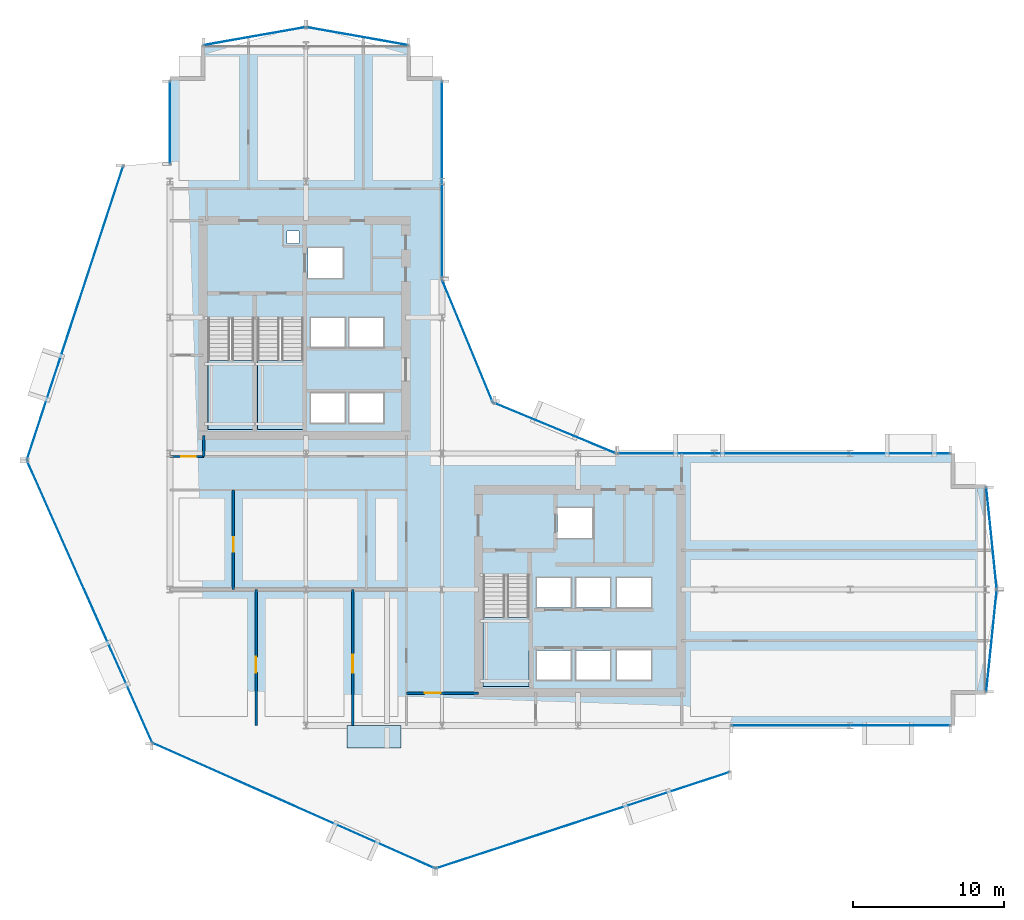
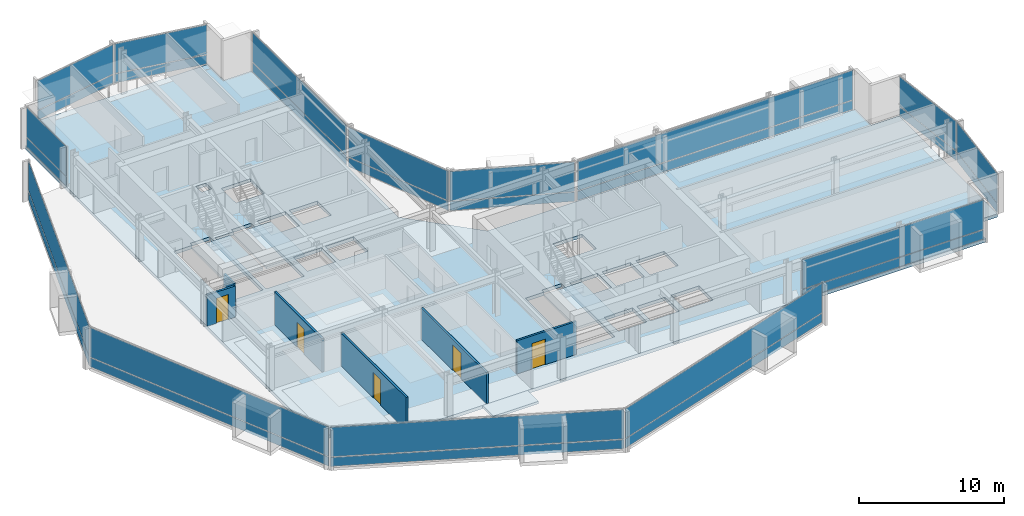
# One storey, part 26 of 34: 28 plates, 6 walls, 5 doors, 5 slabs, 5 openings, 17 elements without a shape of their own.
"""IFC4 building model written with IfcOpenShell, lengths in metres."""

from ifc_helpers import new_model, si_unit, direction, frame, frame_2d, origin, origin_2d, place, context, subcontext, project, spatial, polyline, rectangle, outline, extrude, material, layer, layer_set, type_object, element, fill, aggregate, save


model = new_model("IFC4")

# Units and contexts
model_context = context("Model", 3, precision=1e-05, world=origin(), true_north=direction((0.0, 1.0)))
body_context = subcontext(model_context, "Body", "Model", "MODEL_VIEW")
ifc_project = project(units=[si_unit("LENGTHUNIT", "METRE"), si_unit("AREAUNIT", "SQUARE_METRE"), si_unit("VOLUMEUNIT", "CUBIC_METRE"), si_unit("PLANEANGLEUNIT", "RADIAN"), si_unit("MASSUNIT", "GRAM", prefix="KILO")], contexts=[model_context])

# Site, building, storey
site_placement = place(None, origin())
site = spatial("IfcSite", under=ifc_project, at=site_placement, CompositionType="ELEMENT")
building_placement = place(site_placement, origin())
building = spatial("IfcBuilding", under=site, at=building_placement, Name="Solvaryn Broadcast Tower", CompositionType="ELEMENT")
storey_placement = place(building_placement, frame((0.0, 0.0, 76.699951171875)))
storey = spatial("IfcBuildingStorey", under=building, at=storey_placement, Name="L18", CompositionType="ELEMENT", Elevation=76.699951171875)

# Curtain wall, plates
ifc_material_1 = material(Name="Aluminium and Terracotta Unitised Curtain Wall", Category="masonry")
ifc_layer_1 = layer(ifc_material_1, 0.199951171875)
ifc_layer_set_1 = layer_set([ifc_layer_1], Name="CW-SYS2-LOWMID")
curtain_wall_type = type_object("IfcCurtainWallType", Name="CW-SYS2-LOWMID", PredefinedType="NOTDEFINED", material=ifc_layer_set_1)
curtain_wall_1_placement = place(storey_placement, origin())
curtain_wall_1 = element("IfcCurtainWall", 1, at=curtain_wall_1_placement, inside=storey, type_object=curtain_wall_type, Name="L18 Curtain Wall DR1", PredefinedType="NOTDEFINED")
ifc_material_2 = material(Name="Kiln-Fired Architectural Terracotta Spandrel", Category="masonry")
ifc_layer_2 = layer(ifc_material_2, 0.048095703125)
ifc_layer_set_2 = layer_set([ifc_layer_2], Name="CW-PNL-TERRACOTTA")
plate_type = type_object("IfcPlateType", Name="CW-PNL-TERRACOTTA", PredefinedType="CURTAIN_PANEL", material=ifc_layer_set_2)
plate_1_placement = place(storey_placement, frame((2.72607421875, 36.2880859375, 0.06005859375), z_axis=(0.0, 0.0, 1.0), x_axis=(-0.311594044587, -0.950215318429, 0.0)))
plate_1 = element("IfcPlate", 2, at=plate_1_placement, type_object=plate_type, Name="CWS2 panel 1.1", PredefinedType="CURTAIN_PANEL", context=body_context, shape_type="SweptSolid", body=[
    extrude(rectangle(XDim=20.35546875, YDim=0.028076171875, at=origin_2d()), origin(), (0.0, 0.0, 1.0), 0.760009765625),
])
plate_2_placement = place(storey_placement, frame((2.72607421875, 36.2880859375, 0.880126953125), z_axis=(0.0, 0.0, 1.0), x_axis=(-0.311594044587, -0.950215318429, 0.0)))
plate_2 = element("IfcPlate", 3, at=plate_2_placement, type_object=plate_type, Name="CWS2 panel 1.2", PredefinedType="CURTAIN_PANEL", context=body_context, shape_type="SweptSolid", body=[
    extrude(rectangle(XDim=20.35546875, YDim=0.028076171875, at=origin_2d()), origin(), (0.0, 0.0, 1.0), 2.47998046875),
])
aggregate(curtain_wall_1, [plate_1, plate_2])

curtain_wall_2_placement = place(storey_placement, origin())
curtain_wall_2 = element("IfcCurtainWall", 4, at=curtain_wall_2_placement, inside=storey, type_object=curtain_wall_type, Name="L18 Curtain Wall DR2", PredefinedType="NOTDEFINED")
plate_3_placement = place(storey_placement, frame((3.69140625, 17.20361328125, 0.06005859375), z_axis=(0.0, 0.0, 1.0), x_axis=(0.405898286554, -0.913918257271, 0.0)))
plate_3 = element("IfcPlate", 5, at=plate_3_placement, type_object=plate_type, Name="CWS2 panel 1.1", PredefinedType="CURTAIN_PANEL", context=body_context, shape_type="SweptSolid", body=[
    extrude(rectangle(XDim=20.35546875, YDim=0.028076171875, at=origin_2d()), origin(), (0.0, 0.0, 1.0), 0.760009765625),
])
plate_4_placement = place(storey_placement, frame((3.69140625, 17.20361328125, 0.880126953125), z_axis=(0.0, 0.0, 1.0), x_axis=(0.405898286554, -0.913918257271, 0.0)))
plate_4 = element("IfcPlate", 6, at=plate_4_placement, type_object=plate_type, Name="CWS2 panel 1.2", PredefinedType="CURTAIN_PANEL", context=body_context, shape_type="SweptSolid", body=[
    extrude(rectangle(XDim=20.35546875, YDim=0.028076171875, at=origin_2d()), origin(), (0.0, 0.0, 1.0), 2.47998046875),
])
aggregate(curtain_wall_2, [plate_3, plate_4])

curtain_wall_3_placement = place(storey_placement, origin())
curtain_wall_3 = element("IfcCurtainWall", 7, at=curtain_wall_3_placement, inside=storey, type_object=curtain_wall_type, Name="L18 Curtain Wall DR3", PredefinedType="NOTDEFINED")
plate_5_placement = place(storey_placement, frame((17.20361328125, 3.69140625, 0.06005859375), z_axis=(0.0, 0.0, 1.0), x_axis=(0.913918257271, -0.405898286554, 0.0)))
plate_5 = element("IfcPlate", 8, at=plate_5_placement, type_object=plate_type, Name="CWS2 panel 1.1", PredefinedType="CURTAIN_PANEL", context=body_context, shape_type="SweptSolid", body=[
    extrude(rectangle(XDim=20.35546875, YDim=0.028076171875, at=origin_2d()), origin(), (0.0, 0.0, 1.0), 0.760009765625),
])
plate_6_placement = place(storey_placement, frame((17.20361328125, 3.69140625, 0.880126953125), z_axis=(0.0, 0.0, 1.0), x_axis=(0.913918257271, -0.405898286554, 0.0)))
plate_6 = element("IfcPlate", 9, at=plate_6_placement, type_object=plate_type, Name="CWS2 panel 1.2", PredefinedType="CURTAIN_PANEL", context=body_context, shape_type="SweptSolid", body=[
    extrude(rectangle(XDim=20.35546875, YDim=0.028076171875, at=origin_2d()), origin(), (0.0, 0.0, 1.0), 2.47998046875),
])
aggregate(curtain_wall_3, [plate_5, plate_6])

curtain_wall_4_placement = place(storey_placement, origin())
curtain_wall_4 = element("IfcCurtainWall", 10, at=curtain_wall_4_placement, inside=storey, type_object=curtain_wall_type, Name="L18 Curtain Wall DR4", PredefinedType="NOTDEFINED")
plate_7_placement = place(storey_placement, frame((36.2880859375, 2.72607421875, 0.06005859375), z_axis=(0.0, 0.0, 1.0), x_axis=(0.950215318429, 0.311594044587, 0.0)))
plate_7 = element("IfcPlate", 11, at=plate_7_placement, type_object=plate_type, Name="CWS2 panel 1.1", PredefinedType="CURTAIN_PANEL", context=body_context, shape_type="SweptSolid", body=[
    extrude(rectangle(XDim=20.35546875, YDim=0.028076171875, at=origin_2d()), origin(), (0.0, 0.0, 1.0), 0.760009765625),
])
plate_8_placement = place(storey_placement, frame((36.2880859375, 2.72607421875, 0.880126953125), z_axis=(0.0, 0.0, 1.0), x_axis=(0.950215318429, 0.311594044587, 0.0)))
plate_8 = element("IfcPlate", 12, at=plate_8_placement, type_object=plate_type, Name="CWS2 panel 1.2", PredefinedType="CURTAIN_PANEL", context=body_context, shape_type="SweptSolid", body=[
    extrude(rectangle(XDim=20.35546875, YDim=0.028076171875, at=origin_2d()), origin(), (0.0, 0.0, 1.0), 2.47998046875),
])
aggregate(curtain_wall_4, [plate_7, plate_8])

curtain_wall_5_placement = place(storey_placement, origin())
curtain_wall_5 = element("IfcCurtainWall", 13, at=curtain_wall_5_placement, inside=storey, type_object=curtain_wall_type, Name="L18 Curtain Wall W2", PredefinedType="NOTDEFINED")
plate_9_placement = place(storey_placement, frame((9.0, 48.883056640625, 0.06005859375), z_axis=(0.0, 0.0, 1.0), x_axis=(0.0, 1.0, 0.0)))
plate_9 = element("IfcPlate", 14, at=plate_9_placement, type_object=plate_type, Name="CWS2 panel 1.1", PredefinedType="CURTAIN_PANEL", context=body_context, shape_type="SweptSolid", body=[
    extrude(rectangle(XDim=5.4140625, YDim=0.028076171875, at=origin_2d()), origin(), (0.0, 0.0, 1.0), 0.760009765625),
])
plate_10_placement = place(storey_placement, frame((9.0, 48.883056640625, 0.880126953125), z_axis=(0.0, 0.0, 1.0), x_axis=(0.0, 1.0, 0.0)))
plate_10 = element("IfcPlate", 15, at=plate_10_placement, type_object=plate_type, Name="CWS2 panel 1.2", PredefinedType="CURTAIN_PANEL", context=body_context, shape_type="SweptSolid", body=[
    extrude(rectangle(XDim=5.4140625, YDim=0.028076171875, at=origin_2d()), origin(), (0.0, 0.0, 1.0), 2.47998046875),
])
aggregate(curtain_wall_5, [plate_9, plate_10])

curtain_wall_6_placement = place(storey_placement, origin())
curtain_wall_6 = element("IfcCurtainWall", 16, at=curtain_wall_6_placement, inside=storey, type_object=curtain_wall_type, Name="L18 Curtain Wall IV", PredefinedType="NOTDEFINED")
plate_11_placement = place(storey_placement, frame((27.0, 45.125, 0.06005859375), z_axis=(0.0, 0.0, 1.0), x_axis=(0.0, -1.0, 0.0)))
plate_11 = element("IfcPlate", 17, at=plate_11_placement, type_object=plate_type, Name="CWS2 panel 1.1", PredefinedType="CURTAIN_PANEL", context=body_context, shape_type="SweptSolid", body=[
    extrude(rectangle(XDim=12.929931640625, YDim=0.028076171875, at=origin_2d()), origin(), (0.0, 0.0, 1.0), 0.760009765625),
])
plate_12_placement = place(storey_placement, frame((27.0, 45.125, 0.880126953125), z_axis=(0.0, 0.0, 1.0), x_axis=(0.0, -1.0, 0.0)))
plate_12 = element("IfcPlate", 18, at=plate_12_placement, type_object=plate_type, Name="CWS2 panel 1.2", PredefinedType="CURTAIN_PANEL", context=body_context, shape_type="SweptSolid", body=[
    extrude(rectangle(XDim=12.929931640625, YDim=0.028076171875, at=origin_2d()), origin(), (0.0, 0.0, 1.0), 2.47998046875),
])
aggregate(curtain_wall_6, [plate_11, plate_12])

curtain_wall_7_placement = place(storey_placement, origin())
curtain_wall_7 = element("IfcCurtainWall", 19, at=curtain_wall_7_placement, inside=storey, type_object=curtain_wall_type, Name="L18 Curtain Wall CN1", PredefinedType="NOTDEFINED")
plate_13_placement = place(storey_placement, frame((34.43408203125, 28.68408203125, 0.06005859375), z_axis=(0.0, 0.0, 1.0), x_axis=(-0.923894983957, 0.382646127145, 0.0)))
plate_13 = element("IfcPlate", 20, at=plate_13_placement, type_object=plate_type, Name="CWS2 panel 1.1", PredefinedType="CURTAIN_PANEL", context=body_context, shape_type="SweptSolid", body=[
    extrude(rectangle(XDim=8.681884765625, YDim=0.028076171875, at=origin_2d()), origin(), (0.0, 0.0, 1.0), 0.760009765625),
])
plate_14_placement = place(storey_placement, frame((34.43408203125, 28.68408203125, 0.880126953125), z_axis=(0.0, 0.0, 1.0), x_axis=(-0.923894983957, 0.382646127145, 0.0)))
plate_14 = element("IfcPlate", 21, at=plate_14_placement, type_object=plate_type, Name="CWS2 panel 1.2", PredefinedType="CURTAIN_PANEL", context=body_context, shape_type="SweptSolid", body=[
    extrude(rectangle(XDim=8.681884765625, YDim=0.028076171875, at=origin_2d()), origin(), (0.0, 0.0, 1.0), 2.47998046875),
])
aggregate(curtain_wall_7, [plate_13, plate_14])

curtain_wall_8_placement = place(storey_placement, origin())
curtain_wall_8 = element("IfcCurtainWall", 22, at=curtain_wall_8_placement, inside=storey, type_object=curtain_wall_type, Name="L18 Curtain Wall CN2", PredefinedType="NOTDEFINED")
plate_15_placement = place(storey_placement, frame((28.68408203125, 34.43408203125, 0.06005859375), z_axis=(0.0, 0.0, 1.0), x_axis=(-0.382646127145, 0.923894983957, 0.0)))
plate_15 = element("IfcPlate", 23, at=plate_15_placement, type_object=plate_type, Name="CWS2 panel 1.1", PredefinedType="CURTAIN_PANEL", context=body_context, shape_type="SweptSolid", body=[
    extrude(rectangle(XDim=8.681884765625, YDim=0.028076171875, at=origin_2d()), origin(), (0.0, 0.0, 1.0), 0.760009765625),
])
plate_16_placement = place(storey_placement, frame((28.68408203125, 34.43408203125, 0.880126953125), z_axis=(0.0, 0.0, 1.0), x_axis=(-0.382646127145, 0.923894983957, 0.0)))
plate_16 = element("IfcPlate", 24, at=plate_16_placement, type_object=plate_type, Name="CWS2 panel 1.2", PredefinedType="CURTAIN_PANEL", context=body_context, shape_type="SweptSolid", body=[
    extrude(rectangle(XDim=8.681884765625, YDim=0.028076171875, at=origin_2d()), origin(), (0.0, 0.0, 1.0), 2.47998046875),
])
aggregate(curtain_wall_8, [plate_15, plate_16])

curtain_wall_9_placement = place(storey_placement, origin())
curtain_wall_9 = element("IfcCurtainWall", 25, at=curtain_wall_9_placement, inside=storey, type_object=curtain_wall_type, Name="L18 Curtain Wall S2", PredefinedType="NOTDEFINED")
plate_17_placement = place(storey_placement, frame((53.383056640625, 9.0, 0.06005859375), z_axis=(0.0, 0.0, 1.0), x_axis=(1.0, 0.0, 0.0)))
plate_17 = element("IfcPlate", 26, at=plate_17_placement, type_object=plate_type, Name="CWS2 panel 1.1", PredefinedType="CURTAIN_PANEL", context=body_context, shape_type="SweptSolid", body=[
    extrude(rectangle(XDim=14.4140625, YDim=0.028076171875, at=origin_2d()), origin(), (0.0, 0.0, 1.0), 0.760009765625),
])
plate_18_placement = place(storey_placement, frame((53.383056640625, 9.0, 0.880126953125), z_axis=(0.0, 0.0, 1.0), x_axis=(1.0, 0.0, 0.0)))
plate_18 = element("IfcPlate", 27, at=plate_18_placement, type_object=plate_type, Name="CWS2 panel 1.2", PredefinedType="CURTAIN_PANEL", context=body_context, shape_type="SweptSolid", body=[
    extrude(rectangle(XDim=14.4140625, YDim=0.028076171875, at=origin_2d()), origin(), (0.0, 0.0, 1.0), 2.47998046875),
])
aggregate(curtain_wall_9, [plate_17, plate_18])

curtain_wall_10_placement = place(storey_placement, origin())
curtain_wall_10 = element("IfcCurtainWall", 28, at=curtain_wall_10_placement, inside=storey, type_object=curtain_wall_type, Name="L18 Curtain Wall NT1", PredefinedType="NOTDEFINED")
plate_19_placement = place(storey_placement, frame((21.39990234375, 54.60009765625, 0.06005859375), z_axis=(0.0, 0.0, 1.0), x_axis=(-0.984783558819, 0.173785333901, 0.0)))
plate_19 = element("IfcPlate", 29, at=plate_19_placement, type_object=plate_type, Name="CWS2 panel 1.1", PredefinedType="CURTAIN_PANEL", context=body_context, shape_type="SweptSolid", body=[
    extrude(rectangle(XDim=6.78515625, YDim=0.028076171875, at=origin_2d()), origin(), (0.0, 0.0, 1.0), 0.760009765625),
])
plate_20_placement = place(storey_placement, frame((21.39990234375, 54.60009765625, 0.880126953125), z_axis=(0.0, 0.0, 1.0), x_axis=(-0.984783558819, 0.173785333901, 0.0)))
plate_20 = element("IfcPlate", 30, at=plate_20_placement, type_object=plate_type, Name="CWS2 panel 1.2", PredefinedType="CURTAIN_PANEL", context=body_context, shape_type="SweptSolid", body=[
    extrude(rectangle(XDim=6.78515625, YDim=0.028076171875, at=origin_2d()), origin(), (0.0, 0.0, 1.0), 2.47998046875),
])
aggregate(curtain_wall_10, [plate_19, plate_20])

curtain_wall_11_placement = place(storey_placement, origin())
curtain_wall_11 = element("IfcCurtainWall", 31, at=curtain_wall_11_placement, inside=storey, type_object=curtain_wall_type, Name="L18 Curtain Wall NT2", PredefinedType="NOTDEFINED")
plate_21_placement = place(storey_placement, frame((14.60009765625, 54.60009765625, 0.06005859375), z_axis=(0.0, 0.0, 1.0), x_axis=(-0.984783558819, -0.173785333901, 0.0)))
plate_21 = element("IfcPlate", 32, at=plate_21_placement, type_object=plate_type, Name="CWS2 panel 1.1", PredefinedType="CURTAIN_PANEL", context=body_context, shape_type="SweptSolid", body=[
    extrude(rectangle(XDim=6.78515625, YDim=0.028076171875, at=origin_2d()), origin(), (0.0, 0.0, 1.0), 0.760009765625),
])
plate_22_placement = place(storey_placement, frame((14.60009765625, 54.60009765625, 0.880126953125), z_axis=(0.0, 0.0, 1.0), x_axis=(-0.984783558819, -0.173785333901, 0.0)))
plate_22 = element("IfcPlate", 33, at=plate_22_placement, type_object=plate_type, Name="CWS2 panel 1.2", PredefinedType="CURTAIN_PANEL", context=body_context, shape_type="SweptSolid", body=[
    extrude(rectangle(XDim=6.78515625, YDim=0.028076171875, at=origin_2d()), origin(), (0.0, 0.0, 1.0), 2.47998046875),
])
aggregate(curtain_wall_11, [plate_21, plate_22])

curtain_wall_12_placement = place(storey_placement, origin())
curtain_wall_12 = element("IfcCurtainWall", 34, at=curtain_wall_12_placement, inside=storey, type_object=curtain_wall_type, Name="L18 Curtain Wall ET1", PredefinedType="NOTDEFINED")
plate_23_placement = place(storey_placement, frame((63.35009765625, 21.39990234375, 0.06005859375), z_axis=(0.0, 0.0, 1.0), x_axis=(0.10240004548, -0.99474329889, 0.0)))
plate_23 = element("IfcPlate", 35, at=plate_23_placement, type_object=plate_type, Name="CWS2 panel 1.1", PredefinedType="CURTAIN_PANEL", context=body_context, shape_type="SweptSolid", body=[
    extrude(rectangle(XDim=6.7158203125, YDim=0.028076171875, at=origin_2d()), origin(), (0.0, 0.0, 1.0), 0.760009765625),
])
plate_24_placement = place(storey_placement, frame((63.35009765625, 21.39990234375, 0.880126953125), z_axis=(0.0, 0.0, 1.0), x_axis=(0.10240004548, -0.99474329889, 0.0)))
plate_24 = element("IfcPlate", 36, at=plate_24_placement, type_object=plate_type, Name="CWS2 panel 1.2", PredefinedType="CURTAIN_PANEL", context=body_context, shape_type="SweptSolid", body=[
    extrude(rectangle(XDim=6.7158203125, YDim=0.028076171875, at=origin_2d()), origin(), (0.0, 0.0, 1.0), 2.47998046875),
])
aggregate(curtain_wall_12, [plate_23, plate_24])

curtain_wall_13_placement = place(storey_placement, origin())
curtain_wall_13 = element("IfcCurtainWall", 37, at=curtain_wall_13_placement, inside=storey, type_object=curtain_wall_type, Name="L18 Curtain Wall ET2", PredefinedType="NOTDEFINED")
plate_25_placement = place(storey_placement, frame((63.35009765625, 14.60009765625, 0.06005859375), z_axis=(0.0, 0.0, 1.0), x_axis=(-0.10240004548, -0.99474329889, 0.0)))
plate_25 = element("IfcPlate", 38, at=plate_25_placement, type_object=plate_type, Name="CWS2 panel 1.1", PredefinedType="CURTAIN_PANEL", context=body_context, shape_type="SweptSolid", body=[
    extrude(rectangle(XDim=6.7158203125, YDim=0.028076171875, at=origin_2d()), origin(), (0.0, 0.0, 1.0), 0.760009765625),
])
plate_26_placement = place(storey_placement, frame((63.35009765625, 14.60009765625, 0.880126953125), z_axis=(0.0, 0.0, 1.0), x_axis=(-0.10240004548, -0.99474329889, 0.0)))
plate_26 = element("IfcPlate", 39, at=plate_26_placement, type_object=plate_type, Name="CWS2 panel 1.2", PredefinedType="CURTAIN_PANEL", context=body_context, shape_type="SweptSolid", body=[
    extrude(rectangle(XDim=6.7158203125, YDim=0.028076171875, at=origin_2d()), origin(), (0.0, 0.0, 1.0), 2.47998046875),
])
aggregate(curtain_wall_13, [plate_25, plate_26])

curtain_wall_14_placement = place(storey_placement, origin())
curtain_wall_14 = element("IfcCurtainWall", 40, at=curtain_wall_14_placement, inside=storey, type_object=curtain_wall_type, Name="L18 Curtain Wall IH", PredefinedType="NOTDEFINED")
plate_27_placement = place(storey_placement, frame((49.625, 27.0, 0.06005859375), z_axis=(0.0, 0.0, 1.0), x_axis=(1.0, 0.0, 0.0)))
plate_27 = element("IfcPlate", 41, at=plate_27_placement, type_object=plate_type, Name="CWS2 panel 1.1", PredefinedType="CURTAIN_PANEL", context=body_context, shape_type="SweptSolid", body=[
    extrude(rectangle(XDim=21.929931640625, YDim=0.028076171875, at=origin_2d()), origin(), (0.0, 0.0, 1.0), 0.760009765625),
])
plate_28_placement = place(storey_placement, frame((49.625, 27.0, 0.880126953125), z_axis=(0.0, 0.0, 1.0), x_axis=(1.0, 0.0, 0.0)))
plate_28 = element("IfcPlate", 42, at=plate_28_placement, type_object=plate_type, Name="CWS2 panel 1.2", PredefinedType="CURTAIN_PANEL", context=body_context, shape_type="SweptSolid", body=[
    extrude(rectangle(XDim=21.929931640625, YDim=0.028076171875, at=origin_2d()), origin(), (0.0, 0.0, 1.0), 2.47998046875),
])
aggregate(curtain_wall_14, [plate_27, plate_28])

# Slab
ifc_material_3 = material(Name="Concrete f'c 60 MPa", Category="concrete")
ifc_layer_3 = layer(ifc_material_3, 0.2099609375)
ifc_layer_set_3 = layer_set([ifc_layer_3], Name="SL-BAYBOX-210")
slab_type_1 = type_object("IfcSlabType", Name="SL-BAYBOX-210", PredefinedType="FLOOR", material=ifc_layer_set_3)
slab_1_placement = place(storey_placement, frame((0.0, 0.0, -0.2099609375)))
element("IfcSlab", 43, at=slab_1_placement, inside=storey, type_object=slab_type_1, Name="L18 Projecting Bay-Box Slab 1", PredefinedType="FLOOR", context=body_context, shape_type="SweptSolid", body=[
    extrude(outline(polyline([(20.699951171875, 7.5), (24.300048828125, 7.5), (24.300048828125, 9.0), (20.699951171875, 9.0), (20.699951171875, 7.5)])), origin(), (0.0, 0.0, 1.0), 0.2099609375),
])

# Stair, slab
ifc_material_4 = material(Name="Concrete f'c 60 MPa", Category="concrete")
stair_type = type_object("IfcStairType", Name="ST-CORE", PredefinedType="HALF_TURN_STAIR", material=ifc_material_4)
stair_1_placement = place(storey_placement, origin())
stair_1 = element("IfcStair", 44, at=stair_1_placement, inside=storey, type_object=stair_type, Name="L18 ST1", PredefinedType="HALF_TURN_STAIR")
ifc_material_5 = material(Name="Concrete f'c 60 MPa", Category="concrete")
ifc_layer_4 = layer(ifc_material_5, 0.199951171875)
ifc_layer_set_4 = layer_set([ifc_layer_4], Name="SL-LANDING-200")
slab_type_2 = type_object("IfcSlabType", Name="SL-LANDING-200", PredefinedType="LANDING", material=ifc_layer_set_4)
slab_2_placement = place(storey_placement, frame((0.0, 0.0, 1.650146484375)))
slab_2 = element("IfcSlab", 45, at=slab_2_placement, type_object=slab_type_2, Name="ST1 landing 1", PredefinedType="LANDING", context=body_context, shape_type="SweptSolid", body=[
    extrude(outline(polyline([(11.52001953125, 33.159912109375), (11.52001953125, 28.60009765625), (14.550048828125, 28.60009765625), (14.550048828125, 33.159912109375), (11.52001953125, 33.159912109375)])), origin(), (0.0, 0.0, 1.0), 0.199951171875),
])
aggregate(stair_1, [slab_2])

stair_2_placement = place(storey_placement, origin())
stair_2 = element("IfcStair", 46, at=stair_2_placement, inside=storey, type_object=stair_type, Name="L18 ST2", PredefinedType="HALF_TURN_STAIR")
slab_3_placement = place(storey_placement, frame((0.0, 0.0, 1.650146484375)))
slab_3 = element("IfcSlab", 47, at=slab_3_placement, type_object=slab_type_2, Name="ST2 landing 1", PredefinedType="LANDING", context=body_context, shape_type="SweptSolid", body=[
    extrude(outline(polyline([(14.800048828125, 33.159912109375), (14.800048828125, 28.60009765625), (17.830078125, 28.60009765625), (17.830078125, 33.159912109375), (14.800048828125, 33.159912109375)])), origin(), (0.0, 0.0, 1.0), 0.199951171875),
])
aggregate(stair_2, [slab_3])

stair_3_placement = place(storey_placement, origin())
stair_3 = element("IfcStair", 48, at=stair_3_placement, inside=storey, type_object=stair_type, Name="L18 ST3", PredefinedType="HALF_TURN_STAIR")
slab_4_placement = place(storey_placement, frame((0.0, 0.0, 1.650146484375)))
slab_4 = element("IfcSlab", 49, at=slab_4_placement, type_object=slab_type_2, Name="ST3 landing 1", PredefinedType="LANDING", context=body_context, shape_type="SweptSolid", body=[
    extrude(outline(polyline([(29.719970703125, 16.159912109375), (29.719970703125, 11.60009765625), (32.75, 11.60009765625), (32.75, 16.159912109375), (29.719970703125, 16.159912109375)])), origin(), (0.0, 0.0, 1.0), 0.199951171875),
])
aggregate(stair_3, [slab_4])

# Slab
ifc_material_6 = material(Name="Concrete f'c 60 MPa", Category="concrete")
ifc_layer_5 = layer(ifc_material_6, 0.280029296875)
ifc_layer_set_5 = layer_set([ifc_layer_5], Name="SL-TWR-280")
slab_type_3 = type_object("IfcSlabType", Name="SL-TWR-280", PredefinedType="FLOOR", material=ifc_layer_set_5)
slab_5_placement = place(storey_placement, frame((0.0, 0.0, -0.280029296875)))
element("IfcSlab", 50, at=slab_5_placement, inside=storey, type_object=slab_type_3, Name="L18 Structural Floor Slab", PredefinedType="FLOOR", context=body_context, shape_type="SweptSolid", body=[
    extrude(outline(polyline([(11.199951171875, 9.0), (60.800048828125, 9.0), (60.800048828125, 11.199951171875), (63.0, 11.199951171875), (63.0, 24.800048828125), (60.800048828125, 24.800048828125), (60.800048828125, 27.0), (31.5, 27.0), (27.0, 31.5), (27.0, 51.800048828125), (24.800048828125, 51.800048828125), (24.800048828125, 54.0), (11.199951171875, 54.0), (11.199951171875, 51.800048828125), (9.0, 51.800048828125), (9.0, 11.199951171875), (11.199951171875, 11.199951171875), (11.199951171875, 9.0)]), holes=[polyline([(11.52001953125, 28.60009765625), (14.550048828125, 28.60009765625), (14.550048828125, 35.9599609375), (12.97998046875, 35.9599609375), (12.97998046875, 35.679931640625), (11.52001953125, 35.679931640625), (11.52001953125, 28.60009765625)]), polyline([(14.800048828125, 28.60009765625), (17.830078125, 28.60009765625), (17.830078125, 35.9599609375), (16.260009765625, 35.9599609375), (16.260009765625, 35.679931640625), (14.800048828125, 35.679931640625), (14.800048828125, 28.60009765625)]), polyline([(29.719970703125, 11.60009765625), (32.75, 11.60009765625), (32.75, 18.9599609375), (31.179931640625, 18.9599609375), (31.179931640625, 18.679931640625), (29.719970703125, 18.679931640625), (29.719970703125, 11.60009765625)]), polyline([(18.14990234375, 38.60009765625), (20.449951171875, 38.60009765625), (20.449951171875, 40.60009765625), (18.14990234375, 40.60009765625), (18.14990234375, 38.60009765625)]), polyline([(18.324951171875, 29.02490234375), (20.574951171875, 29.02490234375), (20.574951171875, 30.97509765625), (18.324951171875, 30.97509765625), (18.324951171875, 29.02490234375)]), polyline([(20.875, 29.02490234375), (23.125, 29.02490234375), (23.125, 30.97509765625), (20.875, 30.97509765625), (20.875, 29.02490234375)]), polyline([(18.324951171875, 34.02490234375), (20.574951171875, 34.02490234375), (20.574951171875, 35.97509765625), (18.324951171875, 35.97509765625), (18.324951171875, 34.02490234375)]), polyline([(20.875, 34.02490234375), (23.125, 34.02490234375), (23.125, 35.97509765625), (20.875, 35.97509765625), (20.875, 34.02490234375)]), polyline([(34.64990234375, 21.39990234375), (36.949951171875, 21.39990234375), (36.949951171875, 23.39990234375), (34.64990234375, 23.39990234375), (34.64990234375, 21.39990234375)]), polyline([(33.27490234375, 12.02490234375), (35.52490234375, 12.02490234375), (35.52490234375, 13.97509765625), (33.27490234375, 13.97509765625), (33.27490234375, 12.02490234375)]), polyline([(35.875, 12.02490234375), (38.125, 12.02490234375), (38.125, 13.97509765625), (35.875, 13.97509765625), (35.875, 12.02490234375)]), polyline([(33.27490234375, 16.824951171875), (35.52490234375, 16.824951171875), (35.52490234375, 18.77490234375), (33.27490234375, 18.77490234375), (33.27490234375, 16.824951171875)]), polyline([(35.875, 16.824951171875), (38.125, 16.824951171875), (38.125, 18.77490234375), (35.875, 18.77490234375), (35.875, 16.824951171875)]), polyline([(38.574951171875, 12.02490234375), (40.824951171875, 12.02490234375), (40.824951171875, 13.97509765625), (38.574951171875, 13.97509765625), (38.574951171875, 12.02490234375)]), polyline([(38.574951171875, 16.824951171875), (40.824951171875, 16.824951171875), (40.824951171875, 18.77490234375), (38.574951171875, 18.77490234375), (38.574951171875, 16.824951171875)]), polyline([(16.75, 40.89990234375), (17.550048828125, 40.89990234375), (17.550048828125, 41.699951171875), (16.75, 41.699951171875), (16.75, 40.89990234375)])]), origin(), (0.0, 0.0, 1.0), 0.280029296875),
])

# Wall, opening, door
ifc_material_7 = material(Name="Metal-Stud Gypsum Office Partition")
ifc_layer_6 = layer(ifc_material_7, 0.159912109375)
ifc_layer_set_6 = layer_set([ifc_layer_6], Name="IW-PART-160")
wall_type = type_object("IfcWallType", Name="IW-PART-160", PredefinedType="PARTITIONING", material=ifc_layer_set_6)
wall_1_placement = place(storey_placement, frame((9.0, 26.800048828125, 0.0), z_axis=(0.0, 0.0, 1.0), x_axis=(1.0, 0.0, 0.0)))
wall_1 = element("IfcWall", 51, at=wall_1_placement, inside=storey, type_object=wall_type, Name="L18 Interior Partition IW-L18-WM-S", PredefinedType="PARTITIONING", context=body_context, shape_type="SweptSolid", body=[
    extrude(rectangle(XDim=2.25, YDim=0.159912109375, at=frame_2d((1.125, 0.0))), origin(), (0.0, 0.0, 1.0), 2.626953125),
])
opening_1_placement = place(wall_1_placement, frame((0.75, 0.0, 0.0)))
opening_1 = element("IfcOpeningElement", 52, at=opening_1_placement, cuts=wall_1, Name="Opening ID01", PredefinedType="OPENING", context=body_context, shape_type="SweptSolid", body=[
    extrude(rectangle(XDim=0.949951171875, YDim=2.10009765625, at=frame_2d((0.47509765625, 1.050048828125))), frame((0.0, 0.090087890625, 0.0), z_axis=(0.0, -1.0, 0.0), x_axis=(1.0, 0.0, 0.0)), (0.0, 0.0, 1.0), 0.179931640625),
])
ifc_material_8 = material(Name="Flush Acoustic Steel and Timber Door Assembly", Category="steel")
door_type_1 = type_object("IfcDoorType", Name="ID-01-950X2100", OperationType="NOTDEFINED", PredefinedType="DOOR", material=ifc_material_8)
door_1_placement = place(opening_1_placement, origin())
door_1 = element("IfcDoor", 53, at=door_1_placement, inside=storey, type_object=door_type_1, Name="L18 Door DR-L18-WM0", OperationType="SINGLE_SWING_RIGHT", OverallHeight=2.10009765625, OverallWidth=0.949951171875, PredefinedType="DOOR", context=body_context, shape_type="SweptSolid", body=[
    extrude(rectangle(XDim=0.949951171875, YDim=2.10009765625, at=frame_2d((0.47509765625, 1.050048828125))), frame((0.0, 0.02490234375, 0.0), z_axis=(0.0, -1.0, 0.0), x_axis=(1.0, 0.0, 0.0)), (0.0, 0.0, 1.0), 0.050048828125),
])
fill(opening_1, door_1)

# Wall
wall_2_placement = place(storey_placement, frame((11.25, 26.800048828125, 0.0), z_axis=(0.0, 0.0, 1.0), x_axis=(0.0, 1.0, 0.0)))
element("IfcWall", 54, at=wall_2_placement, inside=storey, type_object=wall_type, Name="L18 Interior Partition IW-L18-SW-ALW", PredefinedType="PARTITIONING", context=body_context, shape_type="SweptSolid", body=[
    extrude(rectangle(XDim=1.39990234375, YDim=0.159912109375, at=frame_2d((0.699951171875, 0.0))), origin(), (0.0, 0.0, 1.0), 2.7890625),
])

# Wall, opening, door
wall_3_placement = place(storey_placement, frame((13.199951171875, 18.0, 0.0), z_axis=(0.0, 0.0, 1.0), x_axis=(0.0, 1.0, 0.0)))
wall_3 = element("IfcWall", 55, at=wall_3_placement, inside=storey, type_object=wall_type, Name="L18 Interior Partition IW-L18-SWN-V1", PredefinedType="PARTITIONING", context=body_context, shape_type="SweptSolid", body=[
    extrude(rectangle(XDim=6.580078125, YDim=0.159912109375, at=frame_2d((3.2900390625, 0.0))), origin(), (0.0, 0.0, 1.0), 2.7890625),
])
opening_2_placement = place(wall_3_placement, frame((2.5, 0.0, 0.0)))
opening_2 = element("IfcOpeningElement", 56, at=opening_2_placement, cuts=wall_3, Name="Opening ID01", PredefinedType="OPENING", context=body_context, shape_type="SweptSolid", body=[
    extrude(rectangle(XDim=0.949951171875, YDim=2.10009765625, at=frame_2d((0.47509765625, 1.050048828125))), frame((0.0, 0.090087890625, 0.0), z_axis=(0.0, -1.0, 0.0), x_axis=(1.0, 0.0, 0.0)), (0.0, 0.0, 1.0), 0.179931640625),
])
door_2_placement = place(opening_2_placement, origin())
door_2 = element("IfcDoor", 57, at=door_2_placement, inside=storey, type_object=door_type_1, Name="L18 Door DR-L18-SWN-1", OperationType="SINGLE_SWING_LEFT", OverallHeight=2.10009765625, OverallWidth=0.949951171875, PredefinedType="DOOR", context=body_context, shape_type="SweptSolid", body=[
    extrude(rectangle(XDim=0.949951171875, YDim=2.10009765625, at=frame_2d((0.47509765625, 1.050048828125))), frame((0.0, 0.02490234375, 0.0), z_axis=(0.0, -1.0, 0.0), x_axis=(1.0, 0.0, 0.0)), (0.0, 0.0, 1.0), 0.050048828125),
])
fill(opening_2, door_2)

wall_4_placement = place(storey_placement, frame((14.699951171875, 9.0, 0.0), z_axis=(0.0, 0.0, 1.0), x_axis=(0.0, 1.0, 0.0)))
wall_4 = element("IfcWall", 58, at=wall_4_placement, inside=storey, type_object=wall_type, Name="L18 Interior Partition IW-L18-SWS-V1", PredefinedType="PARTITIONING", context=body_context, shape_type="SweptSolid", body=[
    extrude(rectangle(XDim=9.0, YDim=0.159912109375, at=frame_2d((4.5, 0.0))), origin(), (0.0, 0.0, 1.0), 2.7890625),
])
opening_3_placement = place(wall_4_placement, frame((3.5, 0.0, 0.0)))
opening_3 = element("IfcOpeningElement", 59, at=opening_3_placement, cuts=wall_4, Name="Opening ID03", PredefinedType="OPENING", context=body_context, shape_type="SweptSolid", body=[
    extrude(rectangle(XDim=1.050048828125, YDim=2.14990234375, at=frame_2d((0.52490234375, 1.074951171875))), frame((0.0, 0.090087890625, 0.0), z_axis=(0.0, -1.0, 0.0), x_axis=(1.0, 0.0, 0.0)), (0.0, 0.0, 1.0), 0.179931640625),
])
ifc_material_9 = material(Name="Flush Acoustic Steel and Timber Door Assembly", Category="steel")
door_type_2 = type_object("IfcDoorType", Name="ID-03-1050X2150", OperationType="NOTDEFINED", PredefinedType="DOOR", material=ifc_material_9)
door_3_placement = place(opening_3_placement, origin())
door_3 = element("IfcDoor", 60, at=door_3_placement, inside=storey, type_object=door_type_2, Name="L18 Door DR-L18-SWS-1", OperationType="SINGLE_SWING_LEFT", OverallHeight=2.14990234375, OverallWidth=1.050048828125, PredefinedType="DOOR", context=body_context, shape_type="SweptSolid", body=[
    extrude(rectangle(XDim=1.050048828125, YDim=2.14990234375, at=frame_2d((0.52490234375, 1.074951171875))), frame((0.0, 0.02490234375, 0.0), z_axis=(0.0, -1.0, 0.0), x_axis=(1.0, 0.0, 0.0)), (0.0, 0.0, 1.0), 0.050048828125),
])
fill(opening_3, door_3)

wall_5_placement = place(storey_placement, frame((21.10009765625, 9.0, 0.0), z_axis=(0.0, 0.0, 1.0), x_axis=(0.0, 1.0, 0.0)))
wall_5 = element("IfcWall", 61, at=wall_5_placement, inside=storey, type_object=wall_type, Name="L18 Interior Partition IW-L18-SWS-V2", PredefinedType="PARTITIONING", context=body_context, shape_type="SweptSolid", body=[
    extrude(rectangle(XDim=9.0, YDim=0.159912109375, at=frame_2d((4.5, 0.0))), origin(), (0.0, 0.0, 1.0), 2.626953125),
])
opening_4_placement = place(wall_5_placement, frame((3.5, 0.0, 0.0)))
opening_4 = element("IfcOpeningElement", 62, at=opening_4_placement, cuts=wall_5, Name="Opening ID04", PredefinedType="OPENING", context=body_context, shape_type="SweptSolid", body=[
    extrude(rectangle(XDim=1.199951171875, YDim=2.14990234375, at=frame_2d((0.60009765625, 1.074951171875))), frame((0.0, 0.090087890625, 0.0), z_axis=(0.0, -1.0, 0.0), x_axis=(1.0, 0.0, 0.0)), (0.0, 0.0, 1.0), 0.179931640625),
])
ifc_material_10 = material(Name="Flush Acoustic Steel and Timber Door Assembly", Category="steel")
door_type_3 = type_object("IfcDoorType", Name="ID-04-1200X2150", OperationType="NOTDEFINED", PredefinedType="DOOR", material=ifc_material_10)
door_4_placement = place(opening_4_placement, origin())
door_4 = element("IfcDoor", 63, at=door_4_placement, inside=storey, type_object=door_type_3, Name="L18 Door DR-L18-SWS-2", OperationType="SINGLE_SWING_RIGHT", OverallHeight=2.14990234375, OverallWidth=1.199951171875, PredefinedType="DOOR", context=body_context, shape_type="SweptSolid", body=[
    extrude(rectangle(XDim=1.199951171875, YDim=2.14990234375, at=frame_2d((0.60009765625, 1.074951171875))), frame((0.0, 0.02490234375, 0.0), z_axis=(0.0, -1.0, 0.0), x_axis=(1.0, 0.0, 0.0)), (0.0, 0.0, 1.0), 0.050048828125),
])
fill(opening_4, door_4)

wall_6_placement = place(storey_placement, frame((24.64990234375, 11.14990234375, 0.0), z_axis=(0.0, 0.0, 1.0), x_axis=(1.0, 0.0, 0.0)))
wall_6 = element("IfcWall", 64, at=wall_6_placement, inside=storey, type_object=wall_type, Name="L18 Interior Partition IW-L18-SC-N", PredefinedType="PARTITIONING", context=body_context, shape_type="SweptSolid", body=[
    extrude(rectangle(XDim=4.75, YDim=0.159912109375, at=frame_2d((2.375, 0.0))), origin(), (0.0, 0.0, 1.0), 2.7919921875),
])
opening_5_placement = place(wall_6_placement, frame((1.199951171875, 0.0, 0.0)))
opening_5 = element("IfcOpeningElement", 65, at=opening_5_placement, cuts=wall_6, Name="Opening ID03", PredefinedType="OPENING", context=body_context, shape_type="SweptSolid", body=[
    extrude(rectangle(XDim=1.050048828125, YDim=2.14990234375, at=frame_2d((0.52490234375, 1.074951171875))), frame((0.0, 0.090087890625, 0.0), z_axis=(0.0, -1.0, 0.0), x_axis=(1.0, 0.0, 0.0)), (0.0, 0.0, 1.0), 0.179931640625),
])
door_5_placement = place(opening_5_placement, origin())
door_5 = element("IfcDoor", 66, at=door_5_placement, inside=storey, type_object=door_type_2, Name="L18 Door DR-L18-SC0", OperationType="SINGLE_SWING_RIGHT", OverallHeight=2.14990234375, OverallWidth=1.050048828125, PredefinedType="DOOR", context=body_context, shape_type="SweptSolid", body=[
    extrude(rectangle(XDim=1.050048828125, YDim=2.14990234375, at=frame_2d((0.52490234375, 1.074951171875))), frame((0.0, 0.02490234375, 0.0), z_axis=(0.0, -1.0, 0.0), x_axis=(1.0, 0.0, 0.0)), (0.0, 0.0, 1.0), 0.050048828125),
])
fill(opening_5, door_5)

save(model, "model.ifc")
